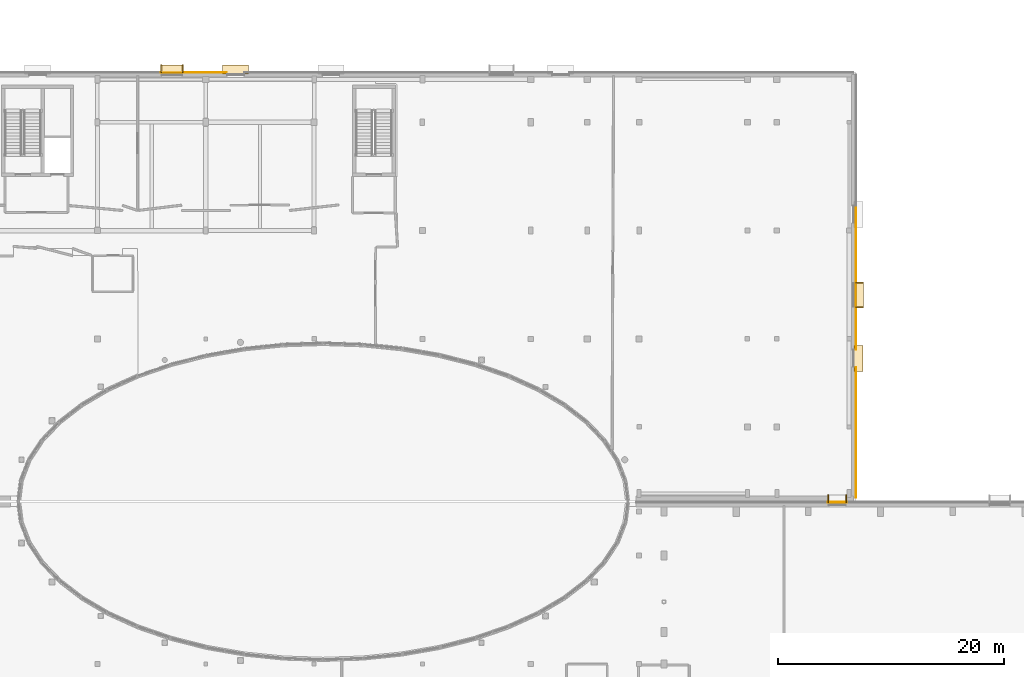
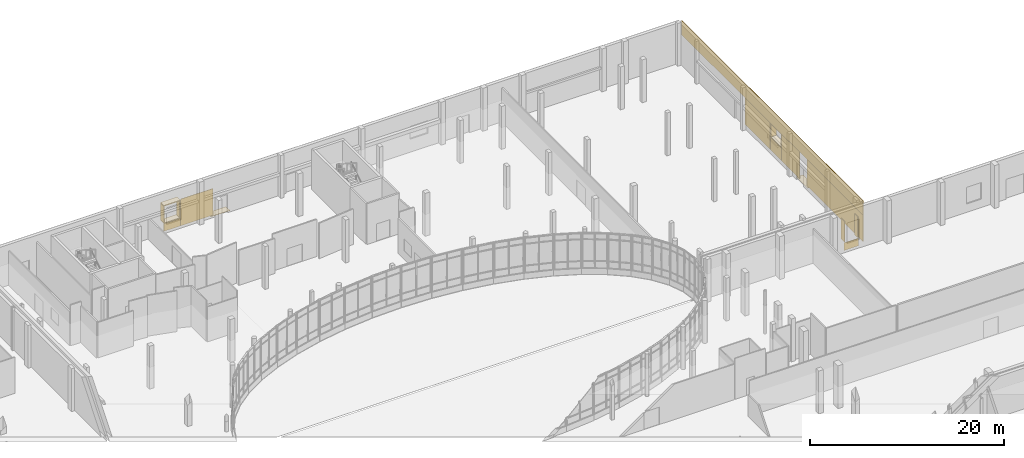
# One storey, part 74 of 84: 20 coverings.
"""IFC4 building model written with IfcOpenShell, lengths in metres."""

from ifc_helpers import new_model, si_unit, direction, frame, origin, origin_2d, place, context, subcontext, project, spatial, rectangle, extrude, material, layer, layer_set, type_object, element, save


model = new_model("IFC4")

# Units and contexts
model_context = context("Model", 3, precision=1e-05, world=origin(), true_north=direction((0.0, 1.0)))
body_context = subcontext(model_context, "Body", "Model", "MODEL_VIEW")
ifc_project = project(units=[si_unit("LENGTHUNIT", "METRE"), si_unit("AREAUNIT", "SQUARE_METRE"), si_unit("VOLUMEUNIT", "CUBIC_METRE"), si_unit("PLANEANGLEUNIT", "RADIAN"), si_unit("MASSUNIT", "GRAM", prefix="KILO")], contexts=[model_context])

# Site, building, storey
site_placement = place(None, origin())
site = spatial("IfcSite", under=ifc_project, at=site_placement, CompositionType="ELEMENT")
building_placement = place(site_placement, origin())
building = spatial("IfcBuilding", under=site, at=building_placement, Name="Mzevani Central Library", CompositionType="ELEMENT")
storey_placement = place(building_placement, origin())
storey = spatial("IfcBuildingStorey", under=building, at=storey_placement, Name="L00", CompositionType="ELEMENT", Elevation=0.0)

# Coverings
ifc_material_1 = material(Name="Limestone ashlar cladding", Category="masonry")
ifc_layer_1 = layer(ifc_material_1, 0.050048828125, Name="Limestone Ashlar Spandrel Cladding")
ifc_layer_set_1 = layer_set([ifc_layer_1], Name="Limestone ashlar cladding")
covering_type_1 = type_object("IfcCoveringType", Name="Limestone Ashlar Spandrel Cladding", PredefinedType="CLADDING", material=ifc_layer_set_1)
for number, where, z_axis, x_axis, name in (
    (1, (128.772216796875, 76.238037109375, 1.050048828125), (0.0, 0.0, 1.0), (1.0, 0.0, 0.0), "L00 Deep Window Reveal JL (REV4-0040)"),
    (2, (130.362060546875, 76.238037109375, 1.050048828125), (0.0, 0.0, 1.0), (1.0, 0.0, 0.0), "L00 Deep Window Reveal JR (REV4-0040)"),
):
    element("IfcCovering", number, at=place(storey_placement, frame(where, z_axis=z_axis, x_axis=x_axis)), inside=storey, type_object=covering_type_1, Name=name, PredefinedType="CLADDING", context=body_context, shape_type="SweptSolid", body=[
        extrude(rectangle(XDim=0.090087890625, YDim=0.679931640625, at=origin_2d()), origin(), (0.0, 0.0, 1.0), 2.60009765625),
    ])
covering_1_placement = place(storey_placement, frame((129.567138671875, 75.924072265625, 0.0), z_axis=(0.0, 0.0, 1.0), x_axis=(1.0, 0.0, 0.0)))
element("IfcCovering", 3, at=covering_1_placement, inside=storey, type_object=covering_type_1, Name="L00 Warm-White Sill Cladding 2 (EW4-V1-L00-0005)", PredefinedType="CLADDING", context=body_context, shape_type="SweptSolid", body=[
    extrude(rectangle(XDim=1.699951171875, YDim=0.050048828125, at=origin_2d()), origin(), (0.0, 0.0, 1.0), 0.949951171875),
])
for number, where, z_axis, x_axis, name in (
    (4, (70.5947265625, 114.337890625, 3.14990234375), (0.0, 0.0, 1.0), (1.0, 0.0, 0.0), "L00 Deep Window Reveal HD (REV4-0121)"),
    (5, (70.5947265625, 114.337890625, 0.9599609375), (0.0, 0.0, 1.0), (1.0, 0.0, 0.0), "L00 Deep Window Reveal SL (REV4-0121)"),
):
    element("IfcCovering", number, at=place(storey_placement, frame(where, z_axis=z_axis, x_axis=x_axis)), inside=storey, type_object=covering_type_1, Name=name, PredefinedType="CLADDING", context=body_context, shape_type="SweptSolid", body=[
        extrude(rectangle(XDim=1.97998046875, YDim=0.679931640625, at=origin_2d()), origin(), (0.0, 0.0, 1.0), 0.090087890625),
    ])
for number, where, z_axis, x_axis, name in (
    (6, (69.64990234375, 114.337890625, 1.050048828125), (0.0, 0.0, 1.0), (1.0, 0.0, 0.0), "L00 Deep Window Reveal JL (REV4-0121)"),
    (7, (71.539794921875, 114.337890625, 1.050048828125), (0.0, 0.0, 1.0), (1.0, 0.0, 0.0), "L00 Deep Window Reveal JR (REV4-0121)"),
):
    element("IfcCovering", number, at=place(storey_placement, frame(where, z_axis=z_axis, x_axis=x_axis)), inside=storey, type_object=covering_type_1, Name=name, PredefinedType="CLADDING", context=body_context, shape_type="SweptSolid", body=[
        extrude(rectangle(XDim=0.090087890625, YDim=0.679931640625, at=origin_2d()), origin(), (0.0, 0.0, 1.0), 2.10009765625),
    ])
covering_2_placement = place(storey_placement, frame((70.5947265625, 114.02392578125, 0.0), z_axis=(0.0, 0.0, 1.0), x_axis=(1.0, 0.0, 0.0)))
element("IfcCovering", 8, at=covering_2_placement, inside=storey, type_object=covering_type_1, Name="L00 Warm-White Sill Cladding 2 (EW4-V3-L00-0041)", PredefinedType="CLADDING", context=body_context, shape_type="SweptSolid", body=[
    extrude(rectangle(XDim=2.0, YDim=0.050048828125, at=origin_2d()), origin(), (0.0, 0.0, 1.0), 0.949951171875),
])
covering_3_placement = place(storey_placement, frame((73.546142578125, 114.02392578125, 0.0), z_axis=(0.0, 0.0, 1.0), x_axis=(1.0, 0.0, 0.0)))
element("IfcCovering", 9, at=covering_3_placement, inside=storey, type_object=covering_type_1, Name="L00 Warm-White Facade Pier 3 (EW4-V3-L00-0041)", PredefinedType="CLADDING", context=body_context, shape_type="SweptSolid", body=[
    extrude(rectangle(XDim=3.86279296875, YDim=0.050048828125, at=origin_2d()), origin(), (0.0, 0.0, 1.0), 3.35009765625),
])
for number, where, z_axis, x_axis, name in (
    (10, (131.5380859375, 94.299560546875, 3.25), (0.0, 0.0, 1.0), (0.0, -1.0, 0.0), "L00 Deep Window Reveal HD (REV4-0123)"),
    (11, (131.5380859375, 94.299560546875, 1.56005859375), (0.0, 0.0, 1.0), (0.0, -1.0, 0.0), "L00 Deep Window Reveal SL (REV4-0123)"),
):
    element("IfcCovering", number, at=place(storey_placement, frame(where, z_axis=z_axis, x_axis=x_axis)), inside=storey, type_object=covering_type_1, Name=name, PredefinedType="CLADDING", context=body_context, shape_type="SweptSolid", body=[
        extrude(rectangle(XDim=2.280029296875, YDim=0.679931640625, at=origin_2d()), origin(), (0.0, 0.0, 1.0), 0.090087890625),
    ])
for number, where, z_axis, x_axis, name in (
    (12, (131.5380859375, 95.39453125, 1.64990234375), (0.0, 0.0, 1.0), (0.0, -1.0, 0.0), "L00 Deep Window Reveal JL (REV4-0123)"),
    (13, (131.5380859375, 93.20458984375, 1.64990234375), (0.0, 0.0, 1.0), (0.0, -1.0, 0.0), "L00 Deep Window Reveal JR (REV4-0123)"),
):
    element("IfcCovering", number, at=place(storey_placement, frame(where, z_axis=z_axis, x_axis=x_axis)), inside=storey, type_object=covering_type_1, Name=name, PredefinedType="CLADDING", context=body_context, shape_type="SweptSolid", body=[
        extrude(rectangle(XDim=0.090087890625, YDim=0.679931640625, at=origin_2d()), origin(), (0.0, 0.0, 1.0), 1.60009765625),
    ])
covering_4_placement = place(storey_placement, frame((131.22412109375, 95.050048828125, 3.35009765625), z_axis=(0.0, 0.0, 1.0), x_axis=(0.0, -1.0, 0.0)))
element("IfcCovering", 14, at=covering_4_placement, inside=storey, type_object=covering_type_1, Name="L00 Warm-White Facade Spandrel (EW4-V3-L00-0042)", PredefinedType="CLADDING", context=body_context, shape_type="SweptSolid", body=[
    extrude(rectangle(XDim=37.47998046875, YDim=0.050048828125, at=origin_2d()), origin(), (0.0, 0.0, 1.0), 1.7900390625),
])
covering_5_placement = place(storey_placement, frame((131.22412109375, 98.06396484375, 0.0), z_axis=(0.0, 0.0, 1.0), x_axis=(0.0, -1.0, 0.0)))
element("IfcCovering", 15, at=covering_5_placement, inside=storey, type_object=covering_type_1, Name="L00 Warm-White Facade Pier 2 (EW4-V3-L00-0042)", PredefinedType="CLADDING", context=body_context, shape_type="SweptSolid", body=[
    extrude(rectangle(XDim=5.188720703125, YDim=0.050048828125, at=origin_2d()), origin(), (0.0, 0.0, 1.0), 3.35009765625),
])
covering_6_placement = place(storey_placement, frame((131.22412109375, 94.299560546875, 0.0), z_axis=(0.0, 0.0, 1.0), x_axis=(0.0, -1.0, 0.0)))
element("IfcCovering", 16, at=covering_6_placement, inside=storey, type_object=covering_type_1, Name="L00 Warm-White Sill Cladding 3 (EW4-V3-L00-0042)", PredefinedType="CLADDING", context=body_context, shape_type="SweptSolid", body=[
    extrude(rectangle(XDim=2.300048828125, YDim=0.050048828125, at=origin_2d()), origin(), (0.0, 0.0, 1.0), 1.550048828125),
])
covering_7_placement = place(storey_placement, frame((131.22412109375, 91.28564453125, 0.0), z_axis=(0.0, 0.0, 1.0), x_axis=(0.0, -1.0, 0.0)))
element("IfcCovering", 17, at=covering_7_placement, inside=storey, type_object=covering_type_1, Name="L00 Warm-White Facade Pier 4 (EW4-V3-L00-0042)", PredefinedType="CLADDING", context=body_context, shape_type="SweptSolid", body=[
    extrude(rectangle(XDim=3.68798828125, YDim=0.050048828125, at=origin_2d()), origin(), (0.0, 0.0, 1.0), 3.35009765625),
])
covering_8_placement = place(storey_placement, frame((131.22412109375, 82.105712890625, 0.0), z_axis=(0.0, 0.0, 1.0), x_axis=(0.0, -1.0, 0.0)))
element("IfcCovering", 18, at=covering_8_placement, inside=storey, type_object=covering_type_1, Name="L00 Warm-White Facade Pier 5 (EW4-V3-L00-0042)", PredefinedType="CLADDING", context=body_context, shape_type="SweptSolid", body=[
    extrude(rectangle(XDim=11.591552734375, YDim=0.050048828125, at=origin_2d()), origin(), (0.0, 0.0, 1.0), 3.35009765625),
])
ifc_material_2 = material(Name="Terrazzo stone flooring", Category="masonry")
ifc_layer_2 = layer(ifc_material_2, 0.030029296875, Name="Terrazzo Stone Floor Finish")
ifc_layer_set_2 = layer_set([ifc_layer_2], Name="Terrazzo stone flooring")
covering_type_2 = type_object("IfcCoveringType", Name="Terrazzo Stone Floor Finish", PredefinedType="FLOORING", material=ifc_layer_set_2)
for number, where, z_axis, x_axis, name in (
    (19, (76.24755859375, 114.260009765625, -0.0400390625), (0.0, 0.0, 1.0), (1.0, 0.0, 0.0), "L00 V3 Exterior Entrance Threshold Apron (17)"),
    (20, (131.4599609375, 88.671630859375, -0.0400390625), (0.0, 0.0, 1.0), (0.0, -1.0, 0.0), "L00 V3 Exterior Entrance Threshold Apron (20)"),
):
    element("IfcCovering", number, at=place(storey_placement, frame(where, z_axis=z_axis, x_axis=x_axis)), inside=storey, type_object=covering_type_2, Name=name, PredefinedType="FLOORING", context=body_context, shape_type="SweptSolid", body=[
        extrude(rectangle(XDim=2.300048828125, YDim=0.800048828125, at=origin_2d()), origin(), (0.0, 0.0, 1.0), 0.0400390625),
    ])

save(model, "model.ifc")
